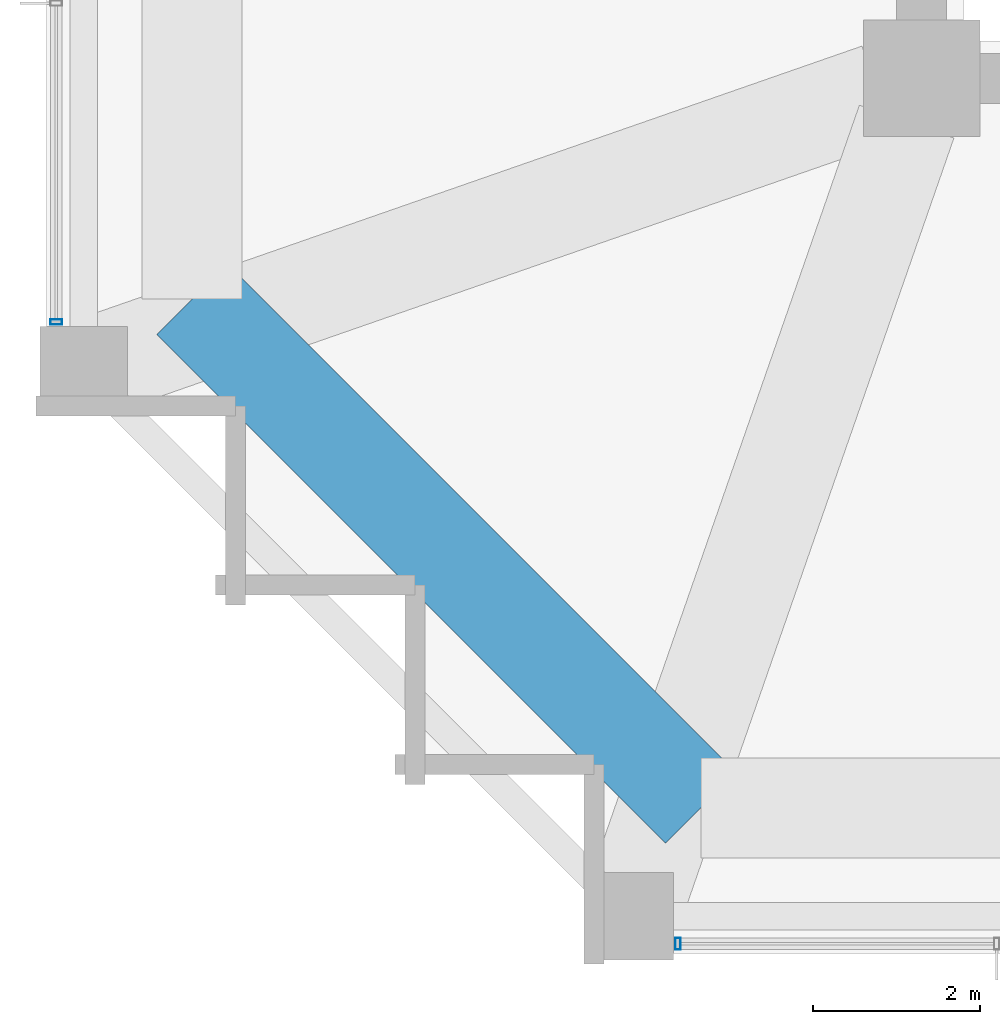
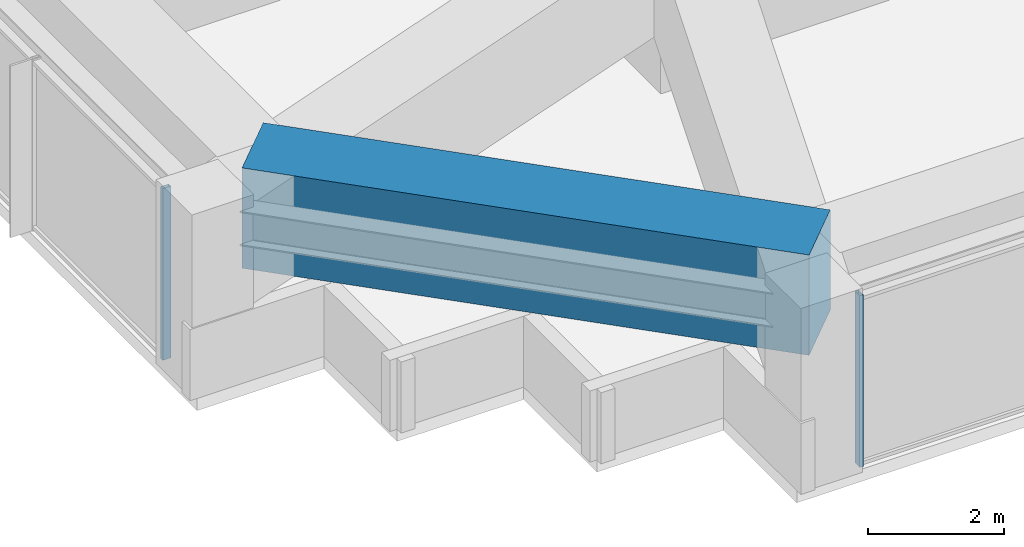
# One storey, part 2 of 34: 2 members, 1 beam, 2 elements without a shape of their own.
"""IFC4 building model written with IfcOpenShell, lengths in metres."""

from ifc_helpers import new_model, si_unit, direction, frame, origin, origin_2d, place, context, subcontext, project, spatial, rectangle, hollow_rectangle, extrude, material, material_profile, profile_set, type_object, element, aggregate, save


model = new_model("IFC4")

# Units and contexts
model_context = context("Model", 3, precision=1e-05, world=origin(), true_north=direction((0.0, 1.0)))
body_context = subcontext(model_context, "Body", "Model", "MODEL_VIEW")
ifc_project = project(units=[si_unit("LENGTHUNIT", "METRE"), si_unit("AREAUNIT", "SQUARE_METRE"), si_unit("VOLUMEUNIT", "CUBIC_METRE"), si_unit("PLANEANGLEUNIT", "RADIAN"), si_unit("MASSUNIT", "GRAM", prefix="KILO")], contexts=[model_context])

# Site, building, storey
site_placement = place(None, origin())
site = spatial("IfcSite", under=ifc_project, at=site_placement, CompositionType="ELEMENT")
building_placement = place(site_placement, origin())
building = spatial("IfcBuilding", under=site, at=building_placement, Name="Kolvaren Belvedere", CompositionType="ELEMENT")
storey_placement = place(building_placement, frame((0.0, 0.0, 105.199951171875)))
storey = spatial("IfcBuildingStorey", under=building, at=storey_placement, Name="L30", CompositionType="ELEMENT", Elevation=105.199951171875)

# Beam
ifc_material_1 = material(Name="Concrete C50/60", Category="concrete")
ifc_material_profile_1 = material_profile(ifc_material_1, rectangle(XDim=1.199951171875, YDim=1.800048828125, at=origin_2d()), Name="RC 1200X1800")
ifc_profile_set_1 = profile_set([ifc_material_profile_1], Name="Concrete C50/60")
beam_type = type_object("IfcBeamType", Name="BM-TG-1800", PredefinedType="BEAM", material=ifc_profile_set_1)
beam_placement = place(storey_placement, frame((-18.64990234375, -12.550048828125, 2.179931640625), z_axis=(0.707106781187, -0.707106781187, 0.0), x_axis=(0.707106781187, 0.707106781187, 0.0)))
element("IfcBeam", 1, at=beam_placement, inside=storey, type_object=beam_type, Name="L30 Step Transfer Ring Girder W1-S1", PredefinedType="BEAM", context=body_context, shape_type="SweptSolid", body=[
    extrude(rectangle(XDim=1.199951171875, YDim=1.800048828125, at=origin_2d()), origin(), (0.0, 0.0, 1.0), 8.62646484375),
])

# Curtain wall, member
ifc_material_2 = material(Name="Anodised pale-metal aluminium AA 6063-T6", Category="aluminium")
curtain_wall_type = type_object("IfcCurtainWallType", Name="CW-Z2-MID", PredefinedType="NOTDEFINED", material=ifc_material_2)
curtain_wall_1_placement = place(storey_placement, origin())
curtain_wall_1 = element("IfcCurtainWall", 2, at=curtain_wall_1_placement, inside=storey, type_object=curtain_wall_type, Name="L30 Unitised Curtain Wall FCW-L30-S-B3", PredefinedType="NOTDEFINED")
ifc_material_3 = material(Name="Anodised pale-metal aluminium AA 6063-T6", Category="aluminium")
ifc_material_profile_2 = material_profile(ifc_material_3, hollow_rectangle(XDim=0.06494140625, YDim=0.139892578125, WallThickness=0.00390625, at=origin_2d()), Name="ALU-MUL-140X65")
ifc_profile_set_2 = profile_set([ifc_material_profile_2], Name="Anodised pale-metal aluminium AA 6063-T6")
member_type = type_object("IfcMemberType", Name="CW-MUL-140", PredefinedType="MULLION", material=ifc_profile_set_2)
member_1_placement = place(storey_placement, frame((-12.822509765625, -20.280029296875, 0.0), z_axis=(0.0, 0.0, 1.0), x_axis=(1.0, 0.0, 0.0)))
member_1 = element("IfcMember", 3, at=member_1_placement, type_object=member_type, Name="FCW-L30-S-B3 Unitised Mullion 3", PredefinedType="MULLION", context=body_context, shape_type="SweptSolid", body=[
    extrude(hollow_rectangle(XDim=0.06494140625, YDim=0.139892578125, WallThickness=0.00390625, at=origin_2d()), origin(), (0.0, 0.0, 1.0), 3.080078125),
])
aggregate(curtain_wall_1, [member_1])

curtain_wall_2_placement = place(storey_placement, origin())
curtain_wall_2 = element("IfcCurtainWall", 4, at=curtain_wall_2_placement, inside=storey, type_object=curtain_wall_type, Name="L30 Unitised Curtain Wall FCW-L30-W-B1", PredefinedType="NOTDEFINED")
member_2_placement = place(storey_placement, frame((-20.280029296875, -12.822509765625, 0.0), z_axis=(0.0, 0.0, 1.0), x_axis=(0.0, 1.0, 0.0)))
member_2 = element("IfcMember", 5, at=member_2_placement, type_object=member_type, Name="FCW-L30-W-B1 Unitised Mullion 1", PredefinedType="MULLION", context=body_context, shape_type="SweptSolid", body=[
    extrude(hollow_rectangle(XDim=0.06494140625, YDim=0.139892578125, WallThickness=0.00390625, at=origin_2d()), origin(), (0.0, 0.0, 1.0), 3.080078125),
])
aggregate(curtain_wall_2, [member_2])

save(model, "model.ifc")
